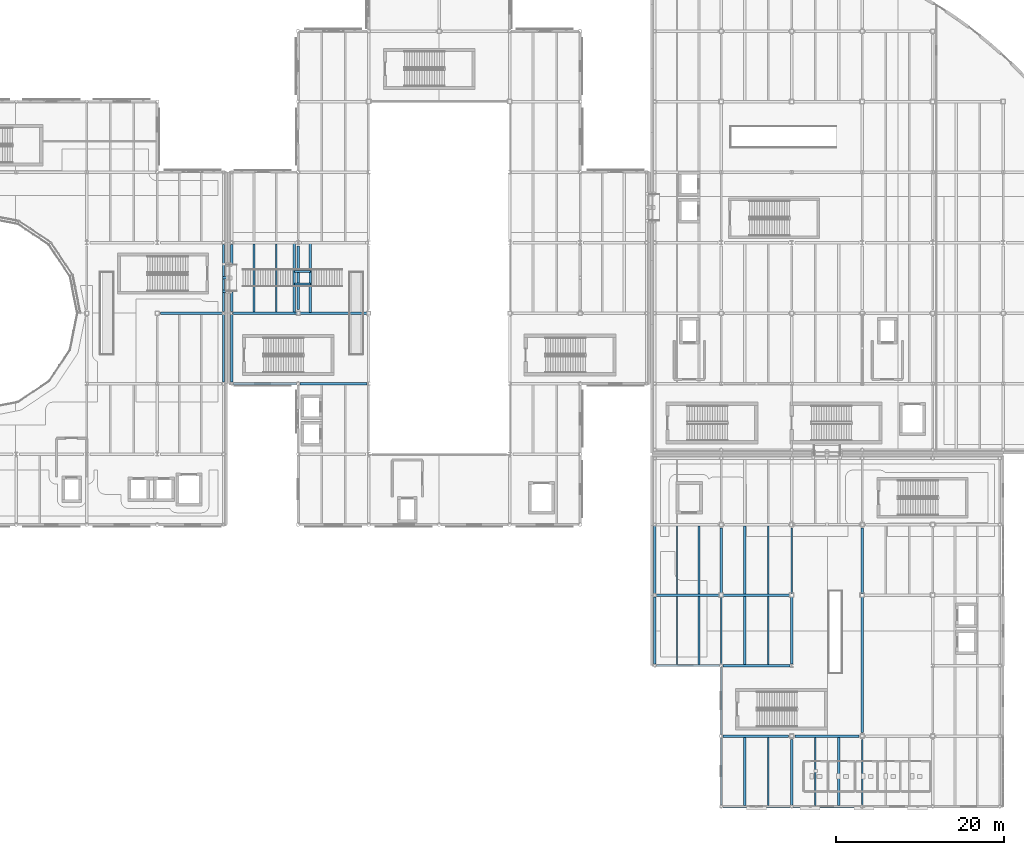
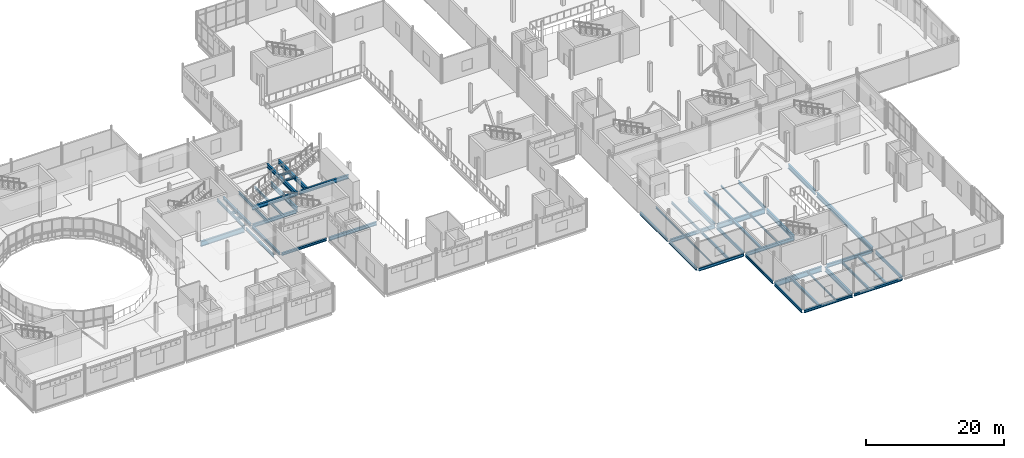
# One storey, part 23 of 104: 51 beams.
"""IFC4 building model written with IfcOpenShell, lengths in metres."""

from ifc_helpers import new_model, si_unit, direction, frame, origin, origin_2d, place, context, subcontext, project, spatial, i_section, extrude, material, material_profile, profile_set, type_object, element, save


model = new_model("IFC4")

# Units and contexts
model_context = context("Model", 3, precision=1e-05, world=origin(), true_north=direction((0.0, 1.0)))
body_context = subcontext(model_context, "Body", "Model", "MODEL_VIEW")
ifc_project = project(units=[si_unit("LENGTHUNIT", "METRE"), si_unit("AREAUNIT", "SQUARE_METRE"), si_unit("VOLUMEUNIT", "CUBIC_METRE"), si_unit("PLANEANGLEUNIT", "RADIAN"), si_unit("MASSUNIT", "GRAM", prefix="KILO"), si_unit("THERMODYNAMICTEMPERATUREUNIT", "KELVIN")], contexts=[model_context])

# Site, building, storey
site_placement = place(None, origin())
site = spatial("IfcSite", under=ifc_project, at=site_placement, CompositionType="ELEMENT")
building_placement = place(site_placement, origin())
building = spatial("IfcBuilding", under=site, at=building_placement, Name="Lustrewick Department Store", CompositionType="ELEMENT")
storey_placement = place(building_placement, frame((0.0, 0.0, 11.39990234375)))
storey = spatial("IfcBuildingStorey", under=building, at=storey_placement, Name="L03", CompositionType="ELEMENT", Elevation=11.39990234375)

# Beams
ifc_material_1 = material(Name="Structural steel Q355B", Category="steel")
ifc_material_profile_1 = material_profile(ifc_material_1, i_section(OverallWidth=0.199951171875, OverallDepth=0.5, WebThickness=0.010009765625, FlangeThickness=0.01611328125, FilletRadius=0.01611328125, at=origin_2d()), Name="HN 500x200x10x16")
ifc_profile_set_1 = profile_set([ifc_material_profile_1], Name="Structural steel Q355B")
beam_type_1 = type_object("IfcBeamType", Name="B01", PredefinedType="JOIST", material=ifc_profile_set_1)
beam_1_placement = place(storey_placement, frame((61.933349609375, 67.35107421875, -0.5048828125), z_axis=(0.0, 1.0, 0.0), x_axis=(-1.0, 0.0, 0.0)))
element("IfcBeam", 1, at=beam_1_placement, inside=storey, type_object=beam_type_1, Name="L03 V2 Secondary Joist B01", PredefinedType="JOIST", context=body_context, shape_type="SweptSolid", body=[
    extrude(i_section(OverallWidth=0.199951171875, OverallDepth=0.5, WebThickness=0.010009765625, FlangeThickness=0.01611328125, FilletRadius=0.01611328125, at=origin_2d()), origin(), (0.0, 0.0, 1.0), 8.098876953125),
])
ifc_material_profile_2 = material_profile(ifc_material_1, i_section(OverallWidth=0.199951171875, OverallDepth=0.449951171875, WebThickness=0.009033203125, FlangeThickness=0.013916015625, FilletRadius=0.01611328125, at=origin_2d()), Name="HN 450x200x9x14")
ifc_profile_set_2 = profile_set([ifc_material_profile_2], Name="Structural steel Q355B")
beam_type_2 = type_object("IfcBeamType", Name="B03", PredefinedType="JOIST", material=ifc_profile_set_2)
beam_2_placement = place(storey_placement, frame((128.800048828125, 8.550048828125, -0.47998046875), z_axis=(0.0, 1.0, 0.0), x_axis=(-1.0, 0.0, 0.0)))
element("IfcBeam", 2, at=beam_2_placement, inside=storey, type_object=beam_type_2, Name="L03 V3 Secondary Joist B03", PredefinedType="JOIST", context=body_context, shape_type="SweptSolid", body=[
    extrude(i_section(OverallWidth=0.199951171875, OverallDepth=0.449951171875, WebThickness=0.009033203125, FlangeThickness=0.013916015625, FilletRadius=0.01611328125, at=origin_2d()), origin(), (0.0, 0.0, 1.0), 8.098876953125),
])
beam_3_placement = place(storey_placement, frame((114.966796875, 25.300537109375, -0.47998046875), z_axis=(0.0, 1.0, 0.0), x_axis=(-1.0, 0.0, 0.0)))
element("IfcBeam", 3, at=beam_3_placement, inside=storey, type_object=beam_type_2, Name="L03 V3 Secondary Joist B03", PredefinedType="JOIST", context=body_context, shape_type="SweptSolid", body=[
    extrude(i_section(OverallWidth=0.199951171875, OverallDepth=0.449951171875, WebThickness=0.009033203125, FlangeThickness=0.013916015625, FilletRadius=0.01611328125, at=origin_2d()), origin(), (0.0, 0.0, 1.0), 8.1484375),
])
beam_4_placement = place(storey_placement, frame((114.966796875, 33.7509765625, -0.47998046875), z_axis=(0.0, 1.0, 0.0), x_axis=(-1.0, 0.0, 0.0)))
element("IfcBeam", 4, at=beam_4_placement, inside=storey, type_object=beam_type_2, Name="L03 V3 Secondary Joist B03", PredefinedType="JOIST", context=body_context, shape_type="SweptSolid", body=[
    extrude(i_section(OverallWidth=0.199951171875, OverallDepth=0.449951171875, WebThickness=0.009033203125, FlangeThickness=0.013916015625, FilletRadius=0.01611328125, at=origin_2d()), origin(), (0.0, 0.0, 1.0), 8.09912109375),
])
ifc_material_profile_3 = material_profile(ifc_material_1, i_section(OverallWidth=0.199951171875, OverallDepth=0.39990234375, WebThickness=0.008056640625, FlangeThickness=0.012939453125, FilletRadius=0.013916015625, at=origin_2d()), Name="HN 400x200x8x13")
ifc_profile_set_3 = profile_set([ifc_material_profile_3], Name="Structural steel Q355B")
beam_type_3 = type_object("IfcBeamType", Name="B05", PredefinedType="JOIST", material=ifc_profile_set_3)
beam_5_placement = place(storey_placement, frame((64.566650390625, 67.35107421875, -0.454833984375), z_axis=(0.0, 1.0, 0.0), x_axis=(-1.0, 0.0, 0.0)))
element("IfcBeam", 5, at=beam_5_placement, inside=storey, type_object=beam_type_3, Name="L03 V2 Secondary Joist B05", PredefinedType="JOIST", context=body_context, shape_type="SweptSolid", body=[
    extrude(i_section(OverallWidth=0.199951171875, OverallDepth=0.39990234375, WebThickness=0.008056640625, FlangeThickness=0.012939453125, FilletRadius=0.013916015625, at=origin_2d()), origin(), (0.0, 0.0, 1.0), 8.098876953125),
])
ifc_material_profile_4 = material_profile(ifc_material_1, i_section(OverallWidth=0.300048828125, OverallDepth=0.389892578125, WebThickness=0.010009765625, FlangeThickness=0.01611328125, FilletRadius=0.01806640625, at=origin_2d()), Name="HM 390x300x10x16")
ifc_profile_set_4 = profile_set([ifc_material_profile_4], Name="Structural steel Q355B")
beam_type_4 = type_object("IfcBeamType", Name="B07", PredefinedType="JOIST", material=ifc_profile_set_4)
for number, where, z_axis, x_axis, name in (
    (6, (120.39990234375, 8.550048828125, -0.449951171875), (0.0, 1.0, 0.0), (-1.0, 0.0, 0.0), "L03 V3 Secondary Joist B07"),
    (7, (131.60009765625, 8.550048828125, -0.449951171875), (0.0, 1.0, 0.0), (-1.0, 0.0, 0.0), "L03 V3 Secondary Joist B07"),
):
    element("IfcBeam", number, at=place(storey_placement, frame(where, z_axis=z_axis, x_axis=x_axis)), inside=storey, type_object=beam_type_4, Name=name, PredefinedType="JOIST", context=body_context, shape_type="SweptSolid", body=[
        extrude(i_section(OverallWidth=0.300048828125, OverallDepth=0.389892578125, WebThickness=0.010009765625, FlangeThickness=0.01611328125, FilletRadius=0.01806640625, at=origin_2d()), origin(), (0.0, 0.0, 1.0), 8.098876953125),
    ])
beam_6_placement = place(storey_placement, frame((120.39990234375, 25.35107421875, -0.449951171875), z_axis=(0.0, 1.0, 0.0), x_axis=(-1.0, 0.0, 0.0)))
element("IfcBeam", 8, at=beam_6_placement, inside=storey, type_object=beam_type_4, Name="L03 V3 Secondary Joist B07", PredefinedType="JOIST", context=body_context, shape_type="SweptSolid", body=[
    extrude(i_section(OverallWidth=0.300048828125, OverallDepth=0.389892578125, WebThickness=0.010009765625, FlangeThickness=0.01611328125, FilletRadius=0.01806640625, at=origin_2d()), origin(), (0.0, 0.0, 1.0), 8.097900390625),
])
beam_7_placement = place(storey_placement, frame((120.39990234375, 33.7509765625, -0.449951171875), z_axis=(0.0, 1.0, 0.0), x_axis=(-1.0, 0.0, 0.0)))
element("IfcBeam", 9, at=beam_7_placement, inside=storey, type_object=beam_type_4, Name="L03 V3 Secondary Joist B07", PredefinedType="JOIST", context=body_context, shape_type="SweptSolid", body=[
    extrude(i_section(OverallWidth=0.300048828125, OverallDepth=0.389892578125, WebThickness=0.010009765625, FlangeThickness=0.01611328125, FilletRadius=0.01806640625, at=origin_2d()), origin(), (0.0, 0.0, 1.0), 8.09814453125),
])
ifc_material_profile_5 = material_profile(ifc_material_1, i_section(OverallWidth=0.25, OverallDepth=0.340087890625, WebThickness=0.009033203125, FlangeThickness=0.013916015625, FilletRadius=0.01611328125, at=origin_2d()), Name="HM 340x250x9x14")
ifc_profile_set_5 = profile_set([ifc_material_profile_5], Name="Structural steel Q355B")
beam_type_5 = type_object("IfcBeamType", Name="B08", PredefinedType="JOIST", material=ifc_profile_set_5)
for number, where, z_axis, x_axis, name in (
    (10, (66.75, 70.64990234375, 2.780029296875), (1.0, 0.0, 0.0), (0.0, 1.0, 0.0), "L03 Feature Stair AST03 Landing Cross Beam 1"),
    (11, (66.75, 72.14990234375, 2.780029296875), (1.0, 0.0, 0.0), (0.0, 1.0, 0.0), "L03 Feature Stair AST03 Landing Cross Beam 2"),
):
    element("IfcBeam", number, at=place(storey_placement, frame(where, z_axis=z_axis, x_axis=x_axis)), inside=storey, type_object=beam_type_5, Name=name, PredefinedType="JOIST", context=body_context, shape_type="SweptSolid", body=[
        extrude(i_section(OverallWidth=0.25, OverallDepth=0.340087890625, WebThickness=0.009033203125, FlangeThickness=0.013916015625, FilletRadius=0.01611328125, at=origin_2d()), origin(), (0.0, 0.0, 1.0), 1.89990234375),
    ])
ifc_material_profile_6 = material_profile(ifc_material_1, i_section(OverallWidth=0.14990234375, OverallDepth=0.300048828125, WebThickness=0.006591796875, FlangeThickness=0.009033203125, FilletRadius=0.011962890625, at=origin_2d()), Name="HN 300x150x6.5x9")
ifc_profile_set_6 = profile_set([ifc_material_profile_6], Name="Structural steel Q355B")
beam_type_6 = type_object("IfcBeamType", Name="B11", PredefinedType="JOIST", material=ifc_profile_set_6)
beam_8_placement = place(storey_placement, frame((123.199951171875, 8.550048828125, -0.40478515625), z_axis=(0.0, 1.0, 0.0), x_axis=(-1.0, 0.0, 0.0)))
element("IfcBeam", 12, at=beam_8_placement, inside=storey, type_object=beam_type_6, Name="L03 V3 Secondary Joist B11", PredefinedType="JOIST", context=body_context, shape_type="SweptSolid", body=[
    extrude(i_section(OverallWidth=0.14990234375, OverallDepth=0.300048828125, WebThickness=0.006591796875, FlangeThickness=0.009033203125, FilletRadius=0.011962890625, at=origin_2d()), origin(), (0.0, 0.0, 1.0), 8.098876953125),
])
beam_9_placement = place(storey_placement, frame((123.199951171875, 25.35107421875, -0.40478515625), z_axis=(0.0, 1.0, 0.0), x_axis=(-1.0, 0.0, 0.0)))
element("IfcBeam", 13, at=beam_9_placement, inside=storey, type_object=beam_type_6, Name="L03 V3 Secondary Joist B11", PredefinedType="JOIST", context=body_context, shape_type="SweptSolid", body=[
    extrude(i_section(OverallWidth=0.14990234375, OverallDepth=0.300048828125, WebThickness=0.006591796875, FlangeThickness=0.009033203125, FilletRadius=0.011962890625, at=origin_2d()), origin(), (0.0, 0.0, 1.0), 8.097900390625),
])
beam_10_placement = place(storey_placement, frame((123.199951171875, 33.7509765625, -0.40478515625), z_axis=(0.0, 1.0, 0.0), x_axis=(-1.0, 0.0, 0.0)))
element("IfcBeam", 14, at=beam_10_placement, inside=storey, type_object=beam_type_6, Name="L03 V3 Secondary Joist B11", PredefinedType="JOIST", context=body_context, shape_type="SweptSolid", body=[
    extrude(i_section(OverallWidth=0.14990234375, OverallDepth=0.300048828125, WebThickness=0.006591796875, FlangeThickness=0.009033203125, FilletRadius=0.011962890625, at=origin_2d()), origin(), (0.0, 0.0, 1.0), 8.09814453125),
])
ifc_material_profile_7 = material_profile(ifc_material_1, i_section(OverallWidth=0.14892578125, OverallDepth=0.298095703125, WebThickness=0.005615234375, FlangeThickness=0.008056640625, FilletRadius=0.011962890625, at=origin_2d()), Name="HN 298x149x5.5x8")
ifc_profile_set_7 = profile_set([ifc_material_profile_7], Name="Structural steel Q355B")
beam_type_7 = type_object("IfcBeamType", Name="B12", PredefinedType="JOIST", material=ifc_profile_set_7)
beam_11_placement = place(storey_placement, frame((112.333251953125, 25.300537109375, -0.40380859375), z_axis=(0.0, 1.0, 0.0), x_axis=(-1.0, 0.0, 0.0)))
element("IfcBeam", 15, at=beam_11_placement, inside=storey, type_object=beam_type_7, Name="L03 V3 Secondary Joist B12", PredefinedType="JOIST", context=body_context, shape_type="SweptSolid", body=[
    extrude(i_section(OverallWidth=0.14892578125, OverallDepth=0.298095703125, WebThickness=0.005615234375, FlangeThickness=0.008056640625, FilletRadius=0.011962890625, at=origin_2d()), origin(), (0.0, 0.0, 1.0), 8.1484375),
])
beam_12_placement = place(storey_placement, frame((112.333251953125, 33.7509765625, -0.40380859375), z_axis=(0.0, 1.0, 0.0), x_axis=(-1.0, 0.0, 0.0)))
element("IfcBeam", 16, at=beam_12_placement, inside=storey, type_object=beam_type_7, Name="L03 V3 Secondary Joist B12", PredefinedType="JOIST", context=body_context, shape_type="SweptSolid", body=[
    extrude(i_section(OverallWidth=0.14892578125, OverallDepth=0.298095703125, WebThickness=0.005615234375, FlangeThickness=0.008056640625, FilletRadius=0.011962890625, at=origin_2d()), origin(), (0.0, 0.0, 1.0), 8.09912109375),
])
ifc_material_2 = material(Name="Structural steel Q355C", Category="steel")
ifc_material_profile_8 = material_profile(ifc_material_2, i_section(OverallWidth=0.302001953125, OverallDepth=0.912109375, WebThickness=0.01806640625, FlangeThickness=0.033935546875, FilletRadius=0.02392578125, at=origin_2d()), Name="HN 912x302x18x34")
ifc_profile_set_8 = profile_set([ifc_material_profile_8], Name="Structural steel Q355C")
beam_type_8 = type_object("IfcBeamType", Name="G01", PredefinedType="BEAM", material=ifc_profile_set_8)
beam_13_placement = place(storey_placement, frame((117.802978515625, 16.800048828125, -0.7109375), z_axis=(1.0, 0.0, 0.0), x_axis=(0.0, 1.0, 0.0)))
element("IfcBeam", 17, at=beam_13_placement, inside=storey, type_object=beam_type_8, Name="L03 V3 Girder G01", PredefinedType="BEAM", context=body_context, shape_type="SweptSolid", body=[
    extrude(i_section(OverallWidth=0.302001953125, OverallDepth=0.912109375, WebThickness=0.01806640625, FlangeThickness=0.033935546875, FilletRadius=0.02392578125, at=origin_2d()), origin(), (0.0, 0.0, 1.0), 7.797119140625),
])
beam_14_placement = place(storey_placement, frame((117.800048828125, 33.60009765625, -0.7109375), z_axis=(1.0, 0.0, 0.0), x_axis=(0.0, 1.0, 0.0)))
element("IfcBeam", 18, at=beam_14_placement, inside=storey, type_object=beam_type_8, Name="L03 V3 Girder G01", PredefinedType="BEAM", context=body_context, shape_type="SweptSolid", body=[
    extrude(i_section(OverallWidth=0.302001953125, OverallDepth=0.912109375, WebThickness=0.01806640625, FlangeThickness=0.033935546875, FilletRadius=0.02392578125, at=origin_2d()), origin(), (0.0, 0.0, 1.0), 8.0),
])
ifc_material_profile_9 = material_profile(ifc_material_2, i_section(OverallWidth=0.300048828125, OverallDepth=0.89990234375, WebThickness=0.01611328125, FlangeThickness=0.028076171875, FilletRadius=0.02392578125, at=origin_2d()), Name="HN 900x300x16x28")
ifc_profile_set_9 = profile_set([ifc_material_profile_9], Name="Structural steel Q355C")
beam_type_9 = type_object("IfcBeamType", Name="G02", PredefinedType="BEAM", material=ifc_profile_set_9)
beam_15_placement = place(storey_placement, frame((50.800048828125, 67.199951171875, -0.704833984375), z_axis=(1.0, 0.0, 0.0), x_axis=(0.0, 1.0, 0.0)))
element("IfcBeam", 19, at=beam_15_placement, inside=storey, type_object=beam_type_9, Name="L03 V1 Girder G02", PredefinedType="BEAM", context=body_context, shape_type="SweptSolid", body=[
    extrude(i_section(OverallWidth=0.300048828125, OverallDepth=0.89990234375, WebThickness=0.01611328125, FlangeThickness=0.028076171875, FilletRadius=0.02392578125, at=origin_2d()), origin(), (0.0, 0.0, 1.0), 7.3115234375),
])
ifc_material_profile_10 = material_profile(ifc_material_2, i_section(OverallWidth=0.302001953125, OverallDepth=0.80810546875, WebThickness=0.01611328125, FlangeThickness=0.030029296875, FilletRadius=0.02197265625, at=origin_2d()), Name="HN 808x302x16x30")
ifc_profile_set_10 = profile_set([ifc_material_profile_10], Name="Structural steel Q355C")
beam_type_10 = type_object("IfcBeamType", Name="G04", PredefinedType="BEAM", material=ifc_profile_set_10)
beam_16_placement = place(storey_placement, frame((134.39990234375, 17.199951171875, -0.658935546875), z_axis=(0.0, 1.0, 0.0), x_axis=(-1.0, 0.0, 0.0)))
element("IfcBeam", 20, at=beam_16_placement, inside=storey, type_object=beam_type_10, Name="L03 V3 Girder G04", PredefinedType="BEAM", context=body_context, shape_type="SweptSolid", body=[
    extrude(i_section(OverallWidth=0.302001953125, OverallDepth=0.80810546875, WebThickness=0.01611328125, FlangeThickness=0.030029296875, FilletRadius=0.02197265625, at=origin_2d()), origin(), (0.0, 0.0, 1.0), 16.199951171875),
])
ifc_material_profile_11 = material_profile(ifc_material_1, i_section(OverallWidth=0.300048828125, OverallDepth=0.7919921875, WebThickness=0.013916015625, FlangeThickness=0.02197265625, FilletRadius=0.02197265625, at=origin_2d()), Name="HN 792x300x14x22")
ifc_profile_set_11 = profile_set([ifc_material_profile_11], Name="Structural steel Q355B")
beam_type_11 = type_object("IfcBeamType", Name="G06", PredefinedType="BEAM", material=ifc_profile_set_11)
beam_17_placement = place(storey_placement, frame((67.199951171875, 67.60009765625, -0.65087890625), z_axis=(0.0, 1.0, 0.0), x_axis=(-1.0, 0.0, 0.0)))
element("IfcBeam", 21, at=beam_17_placement, inside=storey, type_object=beam_type_11, Name="L03 V2 Girder G06", PredefinedType="BEAM", context=body_context, shape_type="SweptSolid", body=[
    extrude(i_section(OverallWidth=0.300048828125, OverallDepth=0.7919921875, WebThickness=0.013916015625, FlangeThickness=0.02197265625, FilletRadius=0.02197265625, at=origin_2d()), origin(), (0.0, 0.0, 1.0), 7.625),
])
beam_18_placement = place(storey_placement, frame((117.60009765625, 33.800048828125, -0.65087890625), z_axis=(0.0, 1.0, 0.0), x_axis=(-1.0, 0.0, 0.0)))
element("IfcBeam", 22, at=beam_18_placement, inside=storey, type_object=beam_type_11, Name="L03 V3 Girder G06", PredefinedType="BEAM", context=body_context, shape_type="SweptSolid", body=[
    extrude(i_section(OverallWidth=0.300048828125, OverallDepth=0.7919921875, WebThickness=0.013916015625, FlangeThickness=0.02197265625, FilletRadius=0.02197265625, at=origin_2d()), origin(), (0.0, 0.0, 1.0), 7.800048828125),
])
beam_19_placement = place(storey_placement, frame((126.0, 8.58837890625, -0.65087890625), z_axis=(0.0, 1.0, 0.0), x_axis=(-1.0, 0.0, 0.0)))
element("IfcBeam", 23, at=beam_19_placement, inside=storey, type_object=beam_type_11, Name="L03 V3 Girder G06", PredefinedType="BEAM", context=body_context, shape_type="SweptSolid", body=[
    extrude(i_section(OverallWidth=0.300048828125, OverallDepth=0.7919921875, WebThickness=0.013916015625, FlangeThickness=0.02197265625, FilletRadius=0.02197265625, at=origin_2d()), origin(), (0.0, 0.0, 1.0), 7.8115234375),
])
beam_20_placement = place(storey_placement, frame((126.0, 25.406982421875, -0.65087890625), z_axis=(0.0, 1.0, 0.0), x_axis=(-1.0, 0.0, 0.0)))
element("IfcBeam", 24, at=beam_20_placement, inside=storey, type_object=beam_type_11, Name="L03 V3 Girder G06", PredefinedType="BEAM", context=body_context, shape_type="SweptSolid", body=[
    extrude(i_section(OverallWidth=0.300048828125, OverallDepth=0.7919921875, WebThickness=0.013916015625, FlangeThickness=0.02197265625, FilletRadius=0.02197265625, at=origin_2d()), origin(), (0.0, 0.0, 1.0), 7.992919921875),
])
beam_21_placement = place(storey_placement, frame((134.39990234375, 33.800048828125, -0.65087890625), z_axis=(0.0, 1.0, 0.0), x_axis=(-1.0, 0.0, 0.0)))
element("IfcBeam", 25, at=beam_21_placement, inside=storey, type_object=beam_type_11, Name="L03 V3 Girder G06", PredefinedType="BEAM", context=body_context, shape_type="SweptSolid", body=[
    extrude(i_section(OverallWidth=0.300048828125, OverallDepth=0.7919921875, WebThickness=0.013916015625, FlangeThickness=0.02197265625, FilletRadius=0.02197265625, at=origin_2d()), origin(), (0.0, 0.0, 1.0), 7.800048828125),
])
ifc_material_profile_12 = material_profile(ifc_material_1, i_section(OverallWidth=0.300048828125, OverallDepth=0.699951171875, WebThickness=0.012939453125, FlangeThickness=0.02392578125, FilletRadius=0.02001953125, at=origin_2d()), Name="HN 700x300x13x24")
ifc_profile_set_12 = profile_set([ifc_material_profile_12], Name="Structural steel Q355B")
beam_type_12 = type_object("IfcBeamType", Name="G08", PredefinedType="BEAM", material=ifc_profile_set_12)
beam_22_placement = place(storey_placement, frame((59.39990234375, 67.199951171875, 2.60009765625), z_axis=(1.0, 0.0, 0.0), x_axis=(0.0, 1.0, 0.0)))
element("IfcBeam", 26, at=beam_22_placement, inside=storey, type_object=beam_type_12, Name="L03 Feature Stair AST03 Stringer Girder EW1.1", PredefinedType="BEAM", context=body_context, shape_type="SweptSolid", body=[
    extrude(i_section(OverallWidth=0.300048828125, OverallDepth=0.699951171875, WebThickness=0.012939453125, FlangeThickness=0.02392578125, FilletRadius=0.02001953125, at=origin_2d()), origin(), (0.0, 0.0, 1.0), 7.7001953125),
])
for number, where, z_axis, x_axis, name in (
    (27, (67.300048828125, 67.199951171875, 2.60009765625), (1.0, 0.0, 0.0), (0.0, 1.0, 0.0), "L03 Feature Stair AST03 Stringer Girder EW2.1"),
    (28, (66.75, 67.300048828125, 2.60009765625), (0.0, 1.0, 0.0), (-1.0, 0.0, 0.0), "L03 Feature Stair AST03 Landing Trimmer NS1"),
    (29, (68.64990234375, 67.300048828125, 2.60009765625), (0.0, 1.0, 0.0), (-1.0, 0.0, 0.0), "L03 Feature Stair AST03 Landing Trimmer NS2"),
):
    element("IfcBeam", number, at=place(storey_placement, frame(where, z_axis=z_axis, x_axis=x_axis)), inside=storey, type_object=beam_type_12, Name=name, PredefinedType="BEAM", context=body_context, shape_type="SweptSolid", body=[
        extrude(i_section(OverallWidth=0.300048828125, OverallDepth=0.699951171875, WebThickness=0.012939453125, FlangeThickness=0.02392578125, FilletRadius=0.02001953125, at=origin_2d()), origin(), (0.0, 0.0, 1.0), 8.199951171875),
    ])
ifc_material_profile_13 = material_profile(ifc_material_1, i_section(OverallWidth=0.302001953125, OverallDepth=0.593994140625, WebThickness=0.013916015625, FlangeThickness=0.02294921875, FilletRadius=0.02392578125, at=origin_2d()), Name="HM 594x302x14x23")
ifc_profile_set_13 = profile_set([ifc_material_profile_13], Name="Structural steel Q355B")
beam_type_13 = type_object("IfcBeamType", Name="G10", PredefinedType="BEAM", material=ifc_profile_set_13)
beam_23_placement = place(storey_placement, frame((67.403076171875, 58.800048828125, -0.552001953125), z_axis=(1.0, 0.0, 0.0), x_axis=(0.0, 1.0, 0.0)))
element("IfcBeam", 30, at=beam_23_placement, inside=storey, type_object=beam_type_13, Name="L03 V2 Girder G10", PredefinedType="BEAM", context=body_context, shape_type="SweptSolid", body=[
    extrude(i_section(OverallWidth=0.302001953125, OverallDepth=0.593994140625, WebThickness=0.013916015625, FlangeThickness=0.02294921875, FilletRadius=0.02392578125, at=origin_2d()), origin(), (0.0, 0.0, 1.0), 7.994384765625),
])
beam_24_placement = place(storey_placement, frame((59.488525390625, 67.199951171875, -0.552001953125), z_axis=(1.0, 0.0, 0.0), x_axis=(0.0, 1.0, 0.0)))
element("IfcBeam", 31, at=beam_24_placement, inside=storey, type_object=beam_type_13, Name="L03 V2 Girder G10", PredefinedType="BEAM", context=body_context, shape_type="SweptSolid", body=[
    extrude(i_section(OverallWidth=0.302001953125, OverallDepth=0.593994140625, WebThickness=0.013916015625, FlangeThickness=0.02294921875, FilletRadius=0.02392578125, at=origin_2d()), origin(), (0.0, 0.0, 1.0), 7.3115234375),
])
beam_25_placement = place(storey_placement, frame((126.39990234375, 16.800048828125, -0.552001953125), z_axis=(1.0, 0.0, 0.0), x_axis=(0.0, 1.0, 0.0)))
element("IfcBeam", 32, at=beam_25_placement, inside=storey, type_object=beam_type_13, Name="L03 V3 Girder G10", PredefinedType="BEAM", context=body_context, shape_type="SweptSolid", body=[
    extrude(i_section(OverallWidth=0.302001953125, OverallDepth=0.593994140625, WebThickness=0.013916015625, FlangeThickness=0.02294921875, FilletRadius=0.02392578125, at=origin_2d()), origin(), (0.0, 0.0, 1.0), 7.60009765625),
])
beam_26_placement = place(storey_placement, frame((117.802978515625, 25.199951171875, -0.552001953125), z_axis=(1.0, 0.0, 0.0), x_axis=(0.0, 1.0, 0.0)))
element("IfcBeam", 33, at=beam_26_placement, inside=storey, type_object=beam_type_13, Name="L03 V3 Girder G10", PredefinedType="BEAM", context=body_context, shape_type="SweptSolid", body=[
    extrude(i_section(OverallWidth=0.302001953125, OverallDepth=0.593994140625, WebThickness=0.013916015625, FlangeThickness=0.02294921875, FilletRadius=0.02392578125, at=origin_2d()), origin(), (0.0, 0.0, 1.0), 7.99462890625),
])
beam_27_placement = place(storey_placement, frame((109.903076171875, 33.60009765625, -0.552001953125), z_axis=(1.0, 0.0, 0.0), x_axis=(0.0, 1.0, 0.0)))
element("IfcBeam", 34, at=beam_27_placement, inside=storey, type_object=beam_type_13, Name="L03 V3 Girder G10", PredefinedType="BEAM", context=body_context, shape_type="SweptSolid", body=[
    extrude(i_section(OverallWidth=0.302001953125, OverallDepth=0.593994140625, WebThickness=0.013916015625, FlangeThickness=0.02294921875, FilletRadius=0.02392578125, at=origin_2d()), origin(), (0.0, 0.0, 1.0), 7.496826171875),
])
ifc_material_profile_14 = material_profile(ifc_material_1, i_section(OverallWidth=0.198974609375, OverallDepth=0.595947265625, WebThickness=0.010009765625, FlangeThickness=0.014892578125, FilletRadius=0.01806640625, at=origin_2d()), Name="HN 596x199x10x15")
ifc_profile_set_14 = profile_set([ifc_material_profile_14], Name="Structural steel Q355B")
beam_type_14 = type_object("IfcBeamType", Name="G15", PredefinedType="BEAM", material=ifc_profile_set_14)
beam_28_placement = place(storey_placement, frame((117.60009765625, 25.403076171875, -0.552978515625), z_axis=(0.0, 1.0, 0.0), x_axis=(-1.0, 0.0, 0.0)))
element("IfcBeam", 35, at=beam_28_placement, inside=storey, type_object=beam_type_14, Name="L03 V3 Girder G15", PredefinedType="BEAM", context=body_context, shape_type="SweptSolid", body=[
    extrude(i_section(OverallWidth=0.198974609375, OverallDepth=0.595947265625, WebThickness=0.010009765625, FlangeThickness=0.014892578125, FilletRadius=0.01806640625, at=origin_2d()), origin(), (0.0, 0.0, 1.0), 7.996826171875),
])
beam_29_placement = place(storey_placement, frame((126.0, 33.800048828125, -0.552978515625), z_axis=(0.0, 1.0, 0.0), x_axis=(-1.0, 0.0, 0.0)))
element("IfcBeam", 36, at=beam_29_placement, inside=storey, type_object=beam_type_14, Name="L03 V3 Girder G15", PredefinedType="BEAM", context=body_context, shape_type="SweptSolid", body=[
    extrude(i_section(OverallWidth=0.198974609375, OverallDepth=0.595947265625, WebThickness=0.010009765625, FlangeThickness=0.014892578125, FilletRadius=0.01806640625, at=origin_2d()), origin(), (0.0, 0.0, 1.0), 7.800048828125),
])
beam_30_placement = place(storey_placement, frame((134.39990234375, 8.58837890625, -0.552978515625), z_axis=(0.0, 1.0, 0.0), x_axis=(-1.0, 0.0, 0.0)))
element("IfcBeam", 37, at=beam_30_placement, inside=storey, type_object=beam_type_14, Name="L03 V3 Girder G15", PredefinedType="BEAM", context=body_context, shape_type="SweptSolid", body=[
    extrude(i_section(OverallWidth=0.198974609375, OverallDepth=0.595947265625, WebThickness=0.010009765625, FlangeThickness=0.014892578125, FilletRadius=0.01806640625, at=origin_2d()), origin(), (0.0, 0.0, 1.0), 7.8115234375),
])
ifc_material_profile_15 = material_profile(ifc_material_1, i_section(OverallWidth=0.300048828125, OverallDepth=0.488037109375, WebThickness=0.010986328125, FlangeThickness=0.01806640625, FilletRadius=0.02197265625, at=origin_2d()), Name="HM 488x300x11x18")
ifc_profile_set_15 = profile_set([ifc_material_profile_15], Name="Structural steel Q355B")
beam_type_15 = type_object("IfcBeamType", Name="G16", PredefinedType="BEAM", material=ifc_profile_set_15)
for number, where, z_axis, x_axis, name in (
    (38, (58.199951171875, 69.800048828125, -0.4990234375), (1.0, 0.0, 0.0), (0.0, 1.0, 0.0), "L03 Skybridge SB12 Girder 1"),
    (39, (58.199951171875, 71.39990234375, -0.4990234375), (1.0, 0.0, 0.0), (0.0, 1.0, 0.0), "L03 Skybridge SB12 Girder 3"),
):
    element("IfcBeam", number, at=place(storey_placement, frame(where, z_axis=z_axis, x_axis=x_axis)), inside=storey, type_object=beam_type_15, Name=name, PredefinedType="BEAM", context=body_context, shape_type="SweptSolid", body=[
        extrude(i_section(OverallWidth=0.300048828125, OverallDepth=0.488037109375, WebThickness=0.010986328125, FlangeThickness=0.01806640625, FilletRadius=0.02197265625, at=origin_2d()), origin(), (0.0, 0.0, 1.0), 1.14013671875),
    ])
ifc_material_profile_16 = material_profile(ifc_material_1, i_section(OverallWidth=0.200927734375, OverallDepth=0.506103515625, WebThickness=0.010986328125, FlangeThickness=0.01904296875, FilletRadius=0.01611328125, at=origin_2d()), Name="HN 506x201x11x19")
ifc_profile_set_16 = profile_set([ifc_material_profile_16], Name="Structural steel Q355B")
beam_type_16 = type_object("IfcBeamType", Name="SP01", PredefinedType="SPANDREL", material=ifc_profile_set_16)
beam_31_placement = place(storey_placement, frame((58.300048828125, 58.988525390625, -0.5078125), z_axis=(0.0, 1.0, 0.0), x_axis=(-1.0, 0.0, 0.0)))
element("IfcBeam", 40, at=beam_31_placement, inside=storey, type_object=beam_type_16, Name="L03 V1 Girder SP01", PredefinedType="SPANDREL", context=body_context, shape_type="SweptSolid", body=[
    extrude(i_section(OverallWidth=0.200927734375, OverallDepth=0.506103515625, WebThickness=0.010986328125, FlangeThickness=0.01904296875, FilletRadius=0.01611328125, at=origin_2d()), origin(), (0.0, 0.0, 1.0), 8.02294921875),
])
beam_32_placement = place(storey_placement, frame((58.300048828125, 67.388427734375, -0.5078125), z_axis=(0.0, 1.0, 0.0), x_axis=(-1.0, 0.0, 0.0)))
element("IfcBeam", 41, at=beam_32_placement, inside=storey, type_object=beam_type_16, Name="L03 V1 Girder SP01", PredefinedType="SPANDREL", context=body_context, shape_type="SweptSolid", body=[
    extrude(i_section(OverallWidth=0.200927734375, OverallDepth=0.506103515625, WebThickness=0.010986328125, FlangeThickness=0.01904296875, FilletRadius=0.01611328125, at=origin_2d()), origin(), (0.0, 0.0, 1.0), 8.008544921875),
])
beam_33_placement = place(storey_placement, frame((109.888427734375, 25.199951171875, -0.5078125), z_axis=(1.0, 0.0, 0.0), x_axis=(0.0, 1.0, 0.0)))
element("IfcBeam", 42, at=beam_33_placement, inside=storey, type_object=beam_type_16, Name="L03 V3 Girder SP01", PredefinedType="SPANDREL", context=body_context, shape_type="SweptSolid", body=[
    extrude(i_section(OverallWidth=0.200927734375, OverallDepth=0.506103515625, WebThickness=0.010986328125, FlangeThickness=0.01904296875, FilletRadius=0.01611328125, at=origin_2d()), origin(), (0.0, 0.0, 1.0), 7.508544921875),
])
beam_34_placement = place(storey_placement, frame((117.60009765625, 8.58837890625, -0.5078125), z_axis=(0.0, 1.0, 0.0), x_axis=(-1.0, 0.0, 0.0)))
element("IfcBeam", 43, at=beam_34_placement, inside=storey, type_object=beam_type_16, Name="L03 V3 Girder SP01", PredefinedType="SPANDREL", context=body_context, shape_type="SweptSolid", body=[
    extrude(i_section(OverallWidth=0.200927734375, OverallDepth=0.506103515625, WebThickness=0.010986328125, FlangeThickness=0.01904296875, FilletRadius=0.01611328125, at=origin_2d()), origin(), (0.0, 0.0, 1.0), 8.008544921875),
])
beam_35_placement = place(storey_placement, frame((117.60009765625, 17.0029296875, -0.5078125), z_axis=(0.0, 1.0, 0.0), x_axis=(-1.0, 0.0, 0.0)))
element("IfcBeam", 44, at=beam_35_placement, inside=storey, type_object=beam_type_16, Name="L03 V3 Girder SP01", PredefinedType="SPANDREL", context=body_context, shape_type="SweptSolid", body=[
    extrude(i_section(OverallWidth=0.200927734375, OverallDepth=0.506103515625, WebThickness=0.010986328125, FlangeThickness=0.01904296875, FilletRadius=0.01611328125, at=origin_2d()), origin(), (0.0, 0.0, 1.0), 7.994140625),
])
ifc_material_profile_17 = material_profile(ifc_material_1, i_section(OverallWidth=0.300048828125, OverallDepth=0.43994140625, WebThickness=0.010986328125, FlangeThickness=0.01806640625, FilletRadius=0.02001953125, at=origin_2d()), Name="HM 440x300x11x18")
ifc_profile_set_17 = profile_set([ifc_material_profile_17], Name="Structural steel Q355B")
beam_type_17 = type_object("IfcBeamType", Name="SP02", PredefinedType="SPANDREL", material=ifc_profile_set_17)
beam_36_placement = place(storey_placement, frame((59.488525390625, 58.800048828125, -0.474853515625), z_axis=(1.0, 0.0, 0.0), x_axis=(0.0, 1.0, 0.0)))
element("IfcBeam", 45, at=beam_36_placement, inside=storey, type_object=beam_type_17, Name="L03 V2 Girder SP02", PredefinedType="SPANDREL", context=body_context, shape_type="SweptSolid", body=[
    extrude(i_section(OverallWidth=0.300048828125, OverallDepth=0.43994140625, WebThickness=0.010986328125, FlangeThickness=0.01806640625, FilletRadius=0.02001953125, at=origin_2d()), origin(), (0.0, 0.0, 1.0), 7.508544921875),
])
beam_37_placement = place(storey_placement, frame((59.300048828125, 58.988525390625, -0.474853515625), z_axis=(0.0, 1.0, 0.0), x_axis=(-1.0, 0.0, 0.0)))
element("IfcBeam", 46, at=beam_37_placement, inside=storey, type_object=beam_type_17, Name="L03 V2 Girder SP02", PredefinedType="SPANDREL", context=body_context, shape_type="SweptSolid", body=[
    extrude(i_section(OverallWidth=0.300048828125, OverallDepth=0.43994140625, WebThickness=0.010986328125, FlangeThickness=0.01806640625, FilletRadius=0.02001953125, at=origin_2d()), origin(), (0.0, 0.0, 1.0), 8.02294921875),
])
beam_38_placement = place(storey_placement, frame((59.300048828125, 67.388427734375, -0.474853515625), z_axis=(0.0, 1.0, 0.0), x_axis=(-1.0, 0.0, 0.0)))
element("IfcBeam", 47, at=beam_38_placement, inside=storey, type_object=beam_type_17, Name="L03 V2 Girder SP02", PredefinedType="SPANDREL", context=body_context, shape_type="SweptSolid", body=[
    extrude(i_section(OverallWidth=0.300048828125, OverallDepth=0.43994140625, WebThickness=0.010986328125, FlangeThickness=0.01806640625, FilletRadius=0.02001953125, at=origin_2d()), origin(), (0.0, 0.0, 1.0), 8.008544921875),
])
for number, where, z_axis, x_axis, name in (
    (48, (117.78857421875, 8.39990234375, -0.474853515625), (1.0, 0.0, 0.0), (0.0, 1.0, 0.0), "L03 V3 Girder SP02"),
    (49, (126.1884765625, 8.39990234375, -0.474853515625), (1.0, 0.0, 0.0), (0.0, 1.0, 0.0), "L03 V3 Girder SP02"),
):
    element("IfcBeam", number, at=place(storey_placement, frame(where, z_axis=z_axis, x_axis=x_axis)), inside=storey, type_object=beam_type_17, Name=name, PredefinedType="SPANDREL", context=body_context, shape_type="SweptSolid", body=[
        extrude(i_section(OverallWidth=0.300048828125, OverallDepth=0.43994140625, WebThickness=0.010986328125, FlangeThickness=0.01806640625, FilletRadius=0.02001953125, at=origin_2d()), origin(), (0.0, 0.0, 1.0), 8.02294921875),
    ])
for number, where, z_axis, x_axis, name in (
    (50, (109.699951171875, 25.388427734375, -0.474853515625), (0.0, 1.0, 0.0), (-1.0, 0.0, 0.0), "L03 V3 Girder SP02"),
    (51, (109.699951171875, 33.802978515625, -0.474853515625), (0.0, 1.0, 0.0), (-1.0, 0.0, 0.0), "L03 V3 Girder SP02"),
):
    element("IfcBeam", number, at=place(storey_placement, frame(where, z_axis=z_axis, x_axis=x_axis)), inside=storey, type_object=beam_type_17, Name=name, PredefinedType="SPANDREL", context=body_context, shape_type="SweptSolid", body=[
        extrude(i_section(OverallWidth=0.300048828125, OverallDepth=0.43994140625, WebThickness=0.010986328125, FlangeThickness=0.01806640625, FilletRadius=0.02001953125, at=origin_2d()), origin(), (0.0, 0.0, 1.0), 8.008544921875),
    ])

save(model, "model.ifc")
